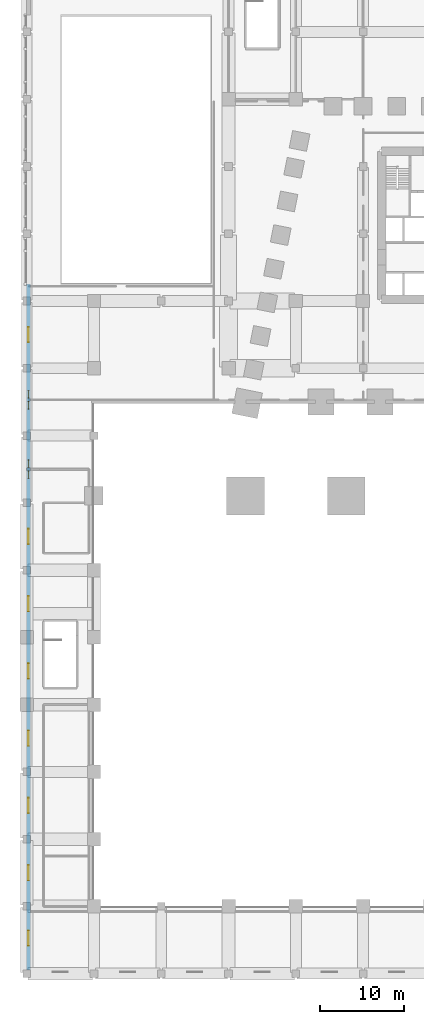
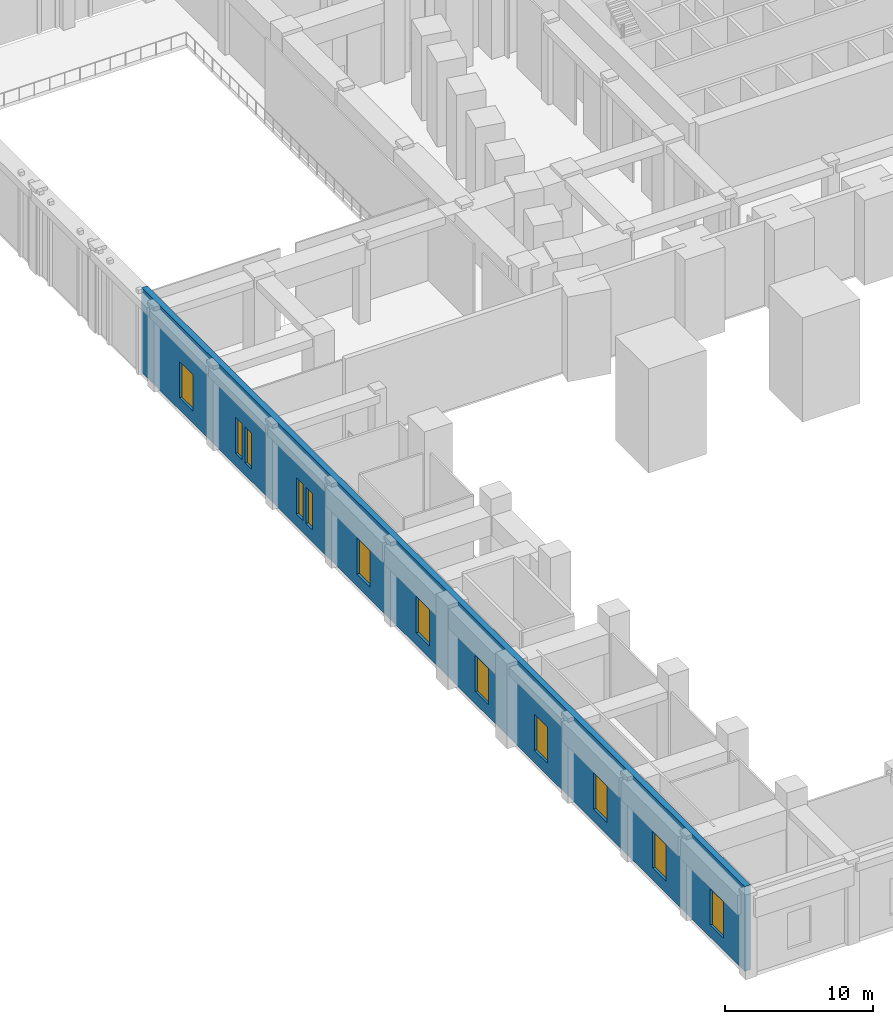
# One storey, part 6 of 18: 12 windows, 1 wall, 12 openings.
"""IFC4 building model written with IfcOpenShell, lengths in metres."""

from ifc_helpers import new_model, si_unit, direction, frame, frame_2d, origin, place, context, subcontext, project, spatial, rectangle, extrude, material, layer, layer_set, type_object, element, fill, save


model = new_model("IFC4")

# Units and contexts
model_context = context("Model", 3, precision=1e-05, world=origin(), true_north=direction((0.0, 1.0)))
body_context = subcontext(model_context, "Body", "Model", "MODEL_VIEW")
ifc_project = project(units=[si_unit("LENGTHUNIT", "METRE"), si_unit("AREAUNIT", "SQUARE_METRE"), si_unit("VOLUMEUNIT", "CUBIC_METRE"), si_unit("PLANEANGLEUNIT", "RADIAN"), si_unit("MASSUNIT", "GRAM", prefix="KILO")], contexts=[model_context])

# Site, building, storey
site_placement = place(None, origin())
site = spatial("IfcSite", under=ifc_project, at=site_placement, CompositionType="ELEMENT")
building_placement = place(site_placement, origin())
building = spatial("IfcBuilding", under=site, at=building_placement, Name="Isbrekke Arena Tower", CompositionType="ELEMENT")
storey_placement = place(building_placement, frame((0.0, 0.0, 12.0)))
storey = spatial("IfcBuildingStorey", under=building, at=storey_placement, Name="L02", CompositionType="ELEMENT", Elevation=12.0)

# Wall, openings, windows
ifc_material_1 = material(Name="Pale brick facing on concrete backing wall", Category="masonry")
ifc_layer = layer(ifc_material_1, 0.449951171875)
ifc_layer_set = layer_set([ifc_layer], Name="EW1 PODIUM BRICK WALL 450")
wall_type = type_object("IfcWallType", Name="EW1 PODIUM BRICK WALL 450", PredefinedType="SOLIDWALL", material=ifc_layer_set)
wall_placement = place(storey_placement, frame((-55.77490234375, 8.0, 0.0), z_axis=(0.0, 0.0, 1.0), x_axis=(0.0, -1.0, 0.0)))
wall = element("IfcWall", 1, at=wall_placement, inside=storey, type_object=wall_type, Name="EW1 podium wall W1 L02", PredefinedType="SOLIDWALL", context=body_context, shape_type="SweptSolid", body=[
    extrude(rectangle(XDim=81.550048828125, YDim=0.449951171875, at=frame_2d((40.77490234375, 0.0))), origin(), (0.0, 0.0, 1.0), 7.0),
])
opening_1_placement = place(wall_placement, frame((5.10009765625, 0.0, 1.0)))
opening_1 = element("IfcOpeningElement", 2, at=opening_1_placement, cuts=wall, Name="Opening WN2", PredefinedType="OPENING", context=body_context, shape_type="SweptSolid", body=[
    extrude(rectangle(XDim=1.800048828125, YDim=3.0, at=frame_2d((0.89990234375, 1.5))), frame((0.0, 0.23974609375, 0.0), z_axis=(0.0, -1.0, 0.0), x_axis=(1.0, 0.0, 0.0)), (0.0, 0.0, 1.0), 0.479736328125),
])
opening_2_placement = place(wall_placement, frame((12.64990234375, 0.0, 1.0)))
opening_2 = element("IfcOpeningElement", 3, at=opening_2_placement, cuts=wall, Name="Opening WN4", PredefinedType="OPENING", context=body_context, shape_type="SweptSolid", body=[
    extrude(rectangle(XDim=0.89990234375, YDim=3.0, at=frame_2d((0.449951171875, 1.5))), frame((0.0, 0.23974609375, 0.0), z_axis=(0.0, -1.0, 0.0), x_axis=(1.0, 0.0, 0.0)), (0.0, 0.0, 1.0), 0.479736328125),
])
opening_3_placement = place(wall_placement, frame((13.949951171875, 0.0, 1.0)))
opening_3 = element("IfcOpeningElement", 4, at=opening_3_placement, cuts=wall, Name="Opening WN4", PredefinedType="OPENING", context=body_context, shape_type="SweptSolid", body=[
    extrude(rectangle(XDim=0.89990234375, YDim=3.0, at=frame_2d((0.449951171875, 1.5))), frame((0.0, 0.23974609375, 0.0), z_axis=(0.0, -1.0, 0.0), x_axis=(1.0, 0.0, 0.0)), (0.0, 0.0, 1.0), 0.479736328125),
])
opening_4_placement = place(wall_placement, frame((20.89990234375, 0.0, 1.0)))
opening_4 = element("IfcOpeningElement", 5, at=opening_4_placement, cuts=wall, Name="Opening WN4", PredefinedType="OPENING", context=body_context, shape_type="SweptSolid", body=[
    extrude(rectangle(XDim=0.89990234375, YDim=3.0, at=frame_2d((0.449951171875, 1.5))), frame((0.0, 0.23974609375, 0.0), z_axis=(0.0, -1.0, 0.0), x_axis=(1.0, 0.0, 0.0)), (0.0, 0.0, 1.0), 0.479736328125),
])
opening_5_placement = place(wall_placement, frame((22.199951171875, 0.0, 1.0)))
opening_5 = element("IfcOpeningElement", 6, at=opening_5_placement, cuts=wall, Name="Opening WN4", PredefinedType="OPENING", context=body_context, shape_type="SweptSolid", body=[
    extrude(rectangle(XDim=0.89990234375, YDim=3.0, at=frame_2d((0.449951171875, 1.5))), frame((0.0, 0.23974609375, 0.0), z_axis=(0.0, -1.0, 0.0), x_axis=(1.0, 0.0, 0.0)), (0.0, 0.0, 1.0), 0.479736328125),
])
opening_6_placement = place(wall_placement, frame((29.10009765625, 0.0, 1.0)))
opening_6 = element("IfcOpeningElement", 7, at=opening_6_placement, cuts=wall, Name="Opening WN2", PredefinedType="OPENING", context=body_context, shape_type="SweptSolid", body=[
    extrude(rectangle(XDim=1.800048828125, YDim=3.0, at=frame_2d((0.89990234375, 1.5))), frame((0.0, 0.23974609375, 0.0), z_axis=(0.0, -1.0, 0.0), x_axis=(1.0, 0.0, 0.0)), (0.0, 0.0, 1.0), 0.479736328125),
])
opening_7_placement = place(wall_placement, frame((37.10009765625, 0.0, 1.0)))
opening_7 = element("IfcOpeningElement", 8, at=opening_7_placement, cuts=wall, Name="Opening WN2", PredefinedType="OPENING", context=body_context, shape_type="SweptSolid", body=[
    extrude(rectangle(XDim=1.800048828125, YDim=3.0, at=frame_2d((0.89990234375, 1.5))), frame((0.0, 0.23974609375, 0.0), z_axis=(0.0, -1.0, 0.0), x_axis=(1.0, 0.0, 0.0)), (0.0, 0.0, 1.0), 0.479736328125),
])
opening_8_placement = place(wall_placement, frame((45.10009765625, 0.0, 1.0)))
opening_8 = element("IfcOpeningElement", 9, at=opening_8_placement, cuts=wall, Name="Opening WN2", PredefinedType="OPENING", context=body_context, shape_type="SweptSolid", body=[
    extrude(rectangle(XDim=1.800048828125, YDim=3.0, at=frame_2d((0.89990234375, 1.5))), frame((0.0, 0.23974609375, 0.0), z_axis=(0.0, -1.0, 0.0), x_axis=(1.0, 0.0, 0.0)), (0.0, 0.0, 1.0), 0.479736328125),
])
opening_9_placement = place(wall_placement, frame((53.10009765625, 0.0, 1.0)))
opening_9 = element("IfcOpeningElement", 10, at=opening_9_placement, cuts=wall, Name="Opening WN2", PredefinedType="OPENING", context=body_context, shape_type="SweptSolid", body=[
    extrude(rectangle(XDim=1.800048828125, YDim=3.0, at=frame_2d((0.89990234375, 1.5))), frame((0.0, 0.23974609375, 0.0), z_axis=(0.0, -1.0, 0.0), x_axis=(1.0, 0.0, 0.0)), (0.0, 0.0, 1.0), 0.479736328125),
])
opening_10_placement = place(wall_placement, frame((61.10009765625, 0.0, 1.0)))
opening_10 = element("IfcOpeningElement", 11, at=opening_10_placement, cuts=wall, Name="Opening WN2", PredefinedType="OPENING", context=body_context, shape_type="SweptSolid", body=[
    extrude(rectangle(XDim=1.800048828125, YDim=3.0, at=frame_2d((0.89990234375, 1.5))), frame((0.0, 0.23974609375, 0.0), z_axis=(0.0, -1.0, 0.0), x_axis=(1.0, 0.0, 0.0)), (0.0, 0.0, 1.0), 0.479736328125),
])
opening_11_placement = place(wall_placement, frame((69.10009765625, 0.0, 1.0)))
opening_11 = element("IfcOpeningElement", 12, at=opening_11_placement, cuts=wall, Name="Opening WN2", PredefinedType="OPENING", context=body_context, shape_type="SweptSolid", body=[
    extrude(rectangle(XDim=1.800048828125, YDim=3.0, at=frame_2d((0.89990234375, 1.5))), frame((0.0, 0.23974609375, 0.0), z_axis=(0.0, -1.0, 0.0), x_axis=(1.0, 0.0, 0.0)), (0.0, 0.0, 1.0), 0.479736328125),
])
opening_12_placement = place(wall_placement, frame((76.875, 0.0, 1.0)))
opening_12 = element("IfcOpeningElement", 13, at=opening_12_placement, cuts=wall, Name="Opening WN2", PredefinedType="OPENING", context=body_context, shape_type="SweptSolid", body=[
    extrude(rectangle(XDim=1.800048828125, YDim=3.0, at=frame_2d((0.89990234375, 1.5))), frame((0.0, 0.23974609375, 0.0), z_axis=(0.0, -1.0, 0.0), x_axis=(1.0, 0.0, 0.0)), (0.0, 0.0, 1.0), 0.479736328125),
])
ifc_material_2 = material(Name="Timber-aluminium window, triple glazed", Category="wood")
window_type_1 = type_object("IfcWindowType", Name="WN2 PODIUM WINDOW 1800 x 3000", PartitioningType="SINGLE_PANEL", PredefinedType="WINDOW", material=ifc_material_2)
window_1_placement = place(opening_1_placement, origin())
window_1 = element("IfcWindow", 14, at=window_1_placement, inside=storey, type_object=window_type_1, Name="WN2 podium window W1-2", OverallHeight=3.0, OverallWidth=1.800048828125, PartitioningType="SINGLE_PANEL", PredefinedType="WINDOW", context=body_context, shape_type="SweptSolid", body=[
    extrude(rectangle(XDim=1.800048828125, YDim=3.0, at=frame_2d((0.89990234375, 1.5))), frame((0.0, 0.030029296875, 0.0), z_axis=(0.0, -1.0, 0.0), x_axis=(1.0, 0.0, 0.0)), (0.0, 0.0, 1.0), 0.06005859375),
])
fill(opening_1, window_1)
window_2_placement = place(opening_6_placement, origin())
window_2 = element("IfcWindow", 15, at=window_2_placement, inside=storey, type_object=window_type_1, Name="WN2 podium window W1-5", OverallHeight=3.0, OverallWidth=1.800048828125, PartitioningType="SINGLE_PANEL", PredefinedType="WINDOW", context=body_context, shape_type="SweptSolid", body=[
    extrude(rectangle(XDim=1.800048828125, YDim=3.0, at=frame_2d((0.89990234375, 1.5))), frame((0.0, 0.030029296875, 0.0), z_axis=(0.0, -1.0, 0.0), x_axis=(1.0, 0.0, 0.0)), (0.0, 0.0, 1.0), 0.06005859375),
])
fill(opening_6, window_2)
window_3_placement = place(opening_7_placement, origin())
window_3 = element("IfcWindow", 16, at=window_3_placement, inside=storey, type_object=window_type_1, Name="WN2 podium window W1-6", OverallHeight=3.0, OverallWidth=1.800048828125, PartitioningType="SINGLE_PANEL", PredefinedType="WINDOW", context=body_context, shape_type="SweptSolid", body=[
    extrude(rectangle(XDim=1.800048828125, YDim=3.0, at=frame_2d((0.89990234375, 1.5))), frame((0.0, 0.030029296875, 0.0), z_axis=(0.0, -1.0, 0.0), x_axis=(1.0, 0.0, 0.0)), (0.0, 0.0, 1.0), 0.06005859375),
])
fill(opening_7, window_3)
window_4_placement = place(opening_8_placement, origin())
window_4 = element("IfcWindow", 17, at=window_4_placement, inside=storey, type_object=window_type_1, Name="WN2 podium window W1-7", OverallHeight=3.0, OverallWidth=1.800048828125, PartitioningType="SINGLE_PANEL", PredefinedType="WINDOW", context=body_context, shape_type="SweptSolid", body=[
    extrude(rectangle(XDim=1.800048828125, YDim=3.0, at=frame_2d((0.89990234375, 1.5))), frame((0.0, 0.030029296875, 0.0), z_axis=(0.0, -1.0, 0.0), x_axis=(1.0, 0.0, 0.0)), (0.0, 0.0, 1.0), 0.06005859375),
])
fill(opening_8, window_4)
window_5_placement = place(opening_9_placement, origin())
window_5 = element("IfcWindow", 18, at=window_5_placement, inside=storey, type_object=window_type_1, Name="WN2 podium window W1-8", OverallHeight=3.0, OverallWidth=1.800048828125, PartitioningType="SINGLE_PANEL", PredefinedType="WINDOW", context=body_context, shape_type="SweptSolid", body=[
    extrude(rectangle(XDim=1.800048828125, YDim=3.0, at=frame_2d((0.89990234375, 1.5))), frame((0.0, 0.030029296875, 0.0), z_axis=(0.0, -1.0, 0.0), x_axis=(1.0, 0.0, 0.0)), (0.0, 0.0, 1.0), 0.06005859375),
])
fill(opening_9, window_5)
window_6_placement = place(opening_10_placement, origin())
window_6 = element("IfcWindow", 19, at=window_6_placement, inside=storey, type_object=window_type_1, Name="WN2 podium window W1-9", OverallHeight=3.0, OverallWidth=1.800048828125, PartitioningType="SINGLE_PANEL", PredefinedType="WINDOW", context=body_context, shape_type="SweptSolid", body=[
    extrude(rectangle(XDim=1.800048828125, YDim=3.0, at=frame_2d((0.89990234375, 1.5))), frame((0.0, 0.030029296875, 0.0), z_axis=(0.0, -1.0, 0.0), x_axis=(1.0, 0.0, 0.0)), (0.0, 0.0, 1.0), 0.06005859375),
])
fill(opening_10, window_6)
window_7_placement = place(opening_11_placement, origin())
window_7 = element("IfcWindow", 20, at=window_7_placement, inside=storey, type_object=window_type_1, Name="WN2 podium window W1-10", OverallHeight=3.0, OverallWidth=1.800048828125, PartitioningType="SINGLE_PANEL", PredefinedType="WINDOW", context=body_context, shape_type="SweptSolid", body=[
    extrude(rectangle(XDim=1.800048828125, YDim=3.0, at=frame_2d((0.89990234375, 1.5))), frame((0.0, 0.030029296875, 0.0), z_axis=(0.0, -1.0, 0.0), x_axis=(1.0, 0.0, 0.0)), (0.0, 0.0, 1.0), 0.06005859375),
])
fill(opening_11, window_7)
window_8_placement = place(opening_12_placement, origin())
window_8 = element("IfcWindow", 21, at=window_8_placement, inside=storey, type_object=window_type_1, Name="WN2 podium window W1-11", OverallHeight=3.0, OverallWidth=1.800048828125, PartitioningType="SINGLE_PANEL", PredefinedType="WINDOW", context=body_context, shape_type="SweptSolid", body=[
    extrude(rectangle(XDim=1.800048828125, YDim=3.0, at=frame_2d((0.89990234375, 1.5))), frame((0.0, 0.030029296875, 0.0), z_axis=(0.0, -1.0, 0.0), x_axis=(1.0, 0.0, 0.0)), (0.0, 0.0, 1.0), 0.06005859375),
])
fill(opening_12, window_8)
ifc_material_3 = material(Name="Timber-aluminium window, triple glazed", Category="wood")
window_type_2 = type_object("IfcWindowType", Name="WN4 PODIUM WINDOW 900 x 3000", PartitioningType="SINGLE_PANEL", PredefinedType="WINDOW", material=ifc_material_3)
window_9_placement = place(opening_2_placement, origin())
window_9 = element("IfcWindow", 22, at=window_9_placement, inside=storey, type_object=window_type_2, Name="WN4 podium window W1-3a", OverallHeight=3.0, OverallWidth=0.89990234375, PartitioningType="SINGLE_PANEL", PredefinedType="WINDOW", context=body_context, shape_type="SweptSolid", body=[
    extrude(rectangle(XDim=0.89990234375, YDim=3.0, at=frame_2d((0.449951171875, 1.5))), frame((0.0, 0.030029296875, 0.0), z_axis=(0.0, -1.0, 0.0), x_axis=(1.0, 0.0, 0.0)), (0.0, 0.0, 1.0), 0.06005859375),
])
fill(opening_2, window_9)
window_10_placement = place(opening_3_placement, origin())
window_10 = element("IfcWindow", 23, at=window_10_placement, inside=storey, type_object=window_type_2, Name="WN4 podium window W1-3b", OverallHeight=3.0, OverallWidth=0.89990234375, PartitioningType="SINGLE_PANEL", PredefinedType="WINDOW", context=body_context, shape_type="SweptSolid", body=[
    extrude(rectangle(XDim=0.89990234375, YDim=3.0, at=frame_2d((0.449951171875, 1.5))), frame((0.0, 0.030029296875, 0.0), z_axis=(0.0, -1.0, 0.0), x_axis=(1.0, 0.0, 0.0)), (0.0, 0.0, 1.0), 0.06005859375),
])
fill(opening_3, window_10)
window_11_placement = place(opening_4_placement, origin())
window_11 = element("IfcWindow", 24, at=window_11_placement, inside=storey, type_object=window_type_2, Name="WN4 podium window W1-4a", OverallHeight=3.0, OverallWidth=0.89990234375, PartitioningType="SINGLE_PANEL", PredefinedType="WINDOW", context=body_context, shape_type="SweptSolid", body=[
    extrude(rectangle(XDim=0.89990234375, YDim=3.0, at=frame_2d((0.449951171875, 1.5))), frame((0.0, 0.030029296875, 0.0), z_axis=(0.0, -1.0, 0.0), x_axis=(1.0, 0.0, 0.0)), (0.0, 0.0, 1.0), 0.06005859375),
])
fill(opening_4, window_11)
window_12_placement = place(opening_5_placement, origin())
window_12 = element("IfcWindow", 25, at=window_12_placement, inside=storey, type_object=window_type_2, Name="WN4 podium window W1-4b", OverallHeight=3.0, OverallWidth=0.89990234375, PartitioningType="SINGLE_PANEL", PredefinedType="WINDOW", context=body_context, shape_type="SweptSolid", body=[
    extrude(rectangle(XDim=0.89990234375, YDim=3.0, at=frame_2d((0.449951171875, 1.5))), frame((0.0, 0.030029296875, 0.0), z_axis=(0.0, -1.0, 0.0), x_axis=(1.0, 0.0, 0.0)), (0.0, 0.0, 1.0), 0.06005859375),
])
fill(opening_5, window_12)

save(model, "model.ifc")
